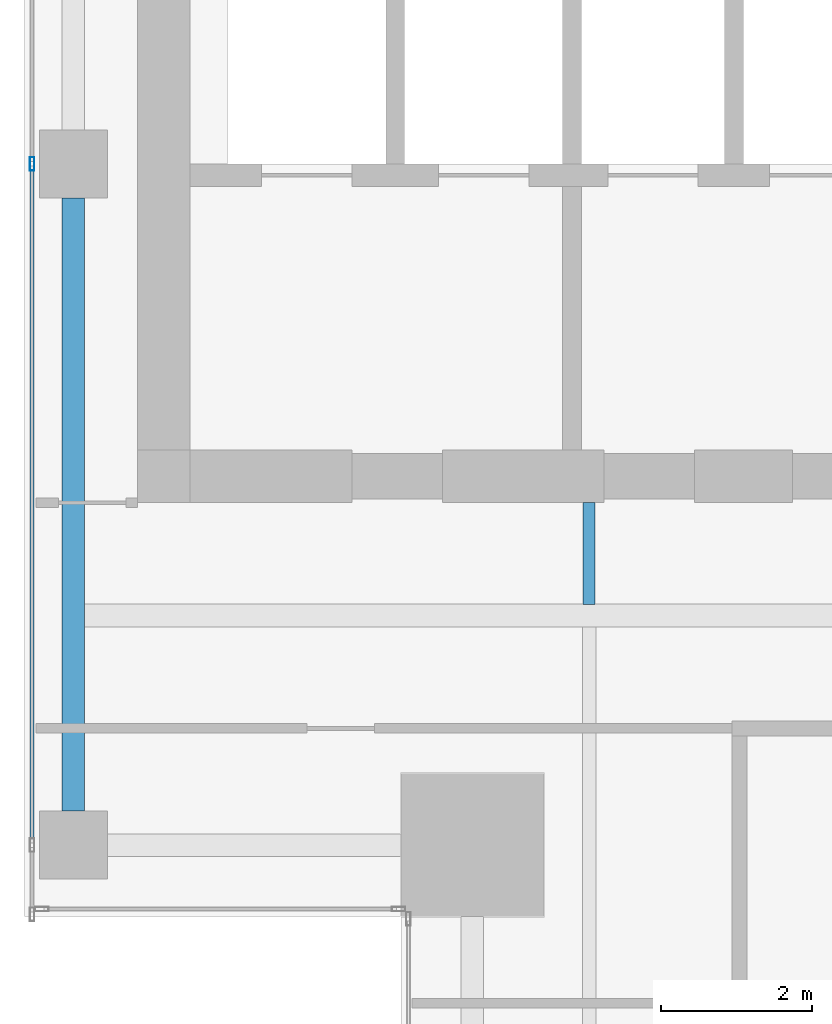
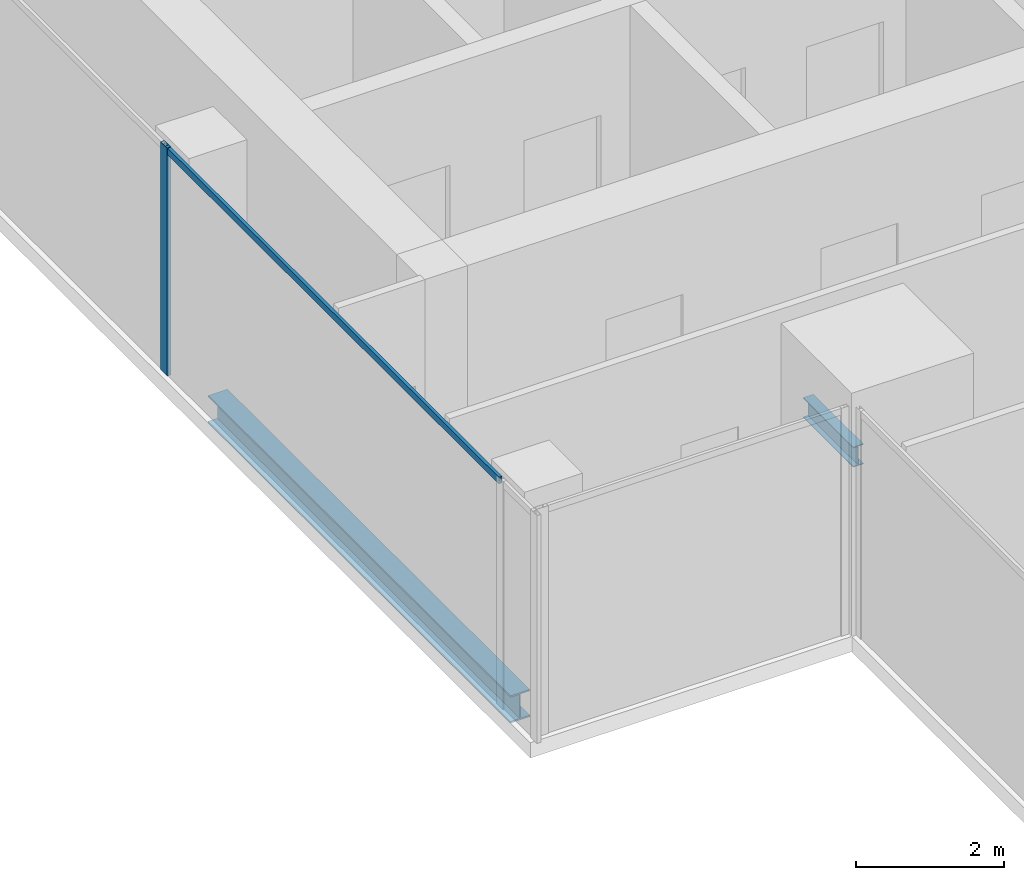
# One storey, part 4 of 36: 2 beams, 2 members, 1 element without a shape of its own.
"""IFC4 building model written with IfcOpenShell, lengths in metres."""

import ifcopenshell
import ifcopenshell.guid

model = None  # the IFC model being written
_history = None  # IfcOwnerHistory: only IFC2X3 demands one
_inside = {}  # id of a spatial element -> (the spatial element, [elements in it])
_under = {}  # id of a project, library or spatial element -> (it, [spatial elements below it])
_declared = {}  # id of a project -> (the project, [libraries it declares])
_typed = {}  # id of a type object -> (the type object, [elements of that type])
_made_of = {}  # id of a material, layer set ... -> (it, [elements and type objects made of it])


def new_model(schema):
    """Start an empty IFC model of exactly this schema.

    Asked for "IFC4X3", IfcOpenShell would pick the latest addendum, in which some entities
    have other attributes; the version numbers below select the first issue.
    IFC2X3 requires an IfcOwnerHistory on every rooted entity: one is made here for all.
    """
    global model, _history
    if schema == "IFC4X3":
        model = ifcopenshell.file(schema_version=(4, 3, 0, 0))
    else:
        model = ifcopenshell.file(schema=schema)
    _inside.clear()
    _under.clear()
    _declared.clear()
    _typed.clear()
    _made_of.clear()
    _history = None
    if model.schema == "IFC2X3":
        org = make("IfcOrganization", Name="unknown")
        user = make(
            "IfcPersonAndOrganization",
            ThePerson=make("IfcPerson", FamilyName="unknown"),
            TheOrganization=org,
        )
        app = make(
            "IfcApplication",
            ApplicationDeveloper=org,
            Version="unknown",
            ApplicationFullName="unknown",
            ApplicationIdentifier="unknown",
        )
        _history = make(
            "IfcOwnerHistory",
            OwningUser=user,
            OwningApplication=app,
            ChangeAction="ADDED",
            CreationDate=0,
        )
    return model


def make(cls, **values):
    """One entity of the class cls with the attributes given. An attribute that is None is left unset."""
    return model.create_entity(
        cls, **{name: value for name, value in values.items() if value is not None}
    )


def rooted(cls, **values):
    """An entity with a GlobalId (a new one), such as an element, a storey or a relation."""
    return make(cls, GlobalId=ifcopenshell.guid.new(), OwnerHistory=_history, **values)


def si_unit(unit_type, name, prefix=None):
    """IfcSIUnit, for example si_unit("LENGTHUNIT", "METRE", prefix="MILLI")."""
    return make("IfcSIUnit", UnitType=unit_type, Prefix=prefix, Name=name)


def assignment(units):
    """IfcUnitAssignment: the units of a project."""
    return None if units is None else make("IfcUnitAssignment", Units=units)


def point(xyz):
    """IfcCartesianPoint."""
    return None if xyz is None else make("IfcCartesianPoint", Coordinates=xyz)


def direction(xyz):
    """IfcDirection."""
    return None if xyz is None else make("IfcDirection", DirectionRatios=xyz)


def frame(location, z_axis=None, x_axis=None):
    """IfcAxis2Placement3D, a coordinate frame: its origin and axes. An axis left out is left unset."""
    return make(
        "IfcAxis2Placement3D",
        Location=point(location),
        Axis=direction(z_axis),
        RefDirection=direction(x_axis),
    )


def frame_2d(location, x_axis=None):
    """IfcAxis2Placement2D, a coordinate frame in the plane: its origin and x axis."""
    return make(
        "IfcAxis2Placement2D", Location=point(location), RefDirection=direction(x_axis)
    )


def origin():
    """The frame at (0, 0, 0) with its axes left unset."""
    return frame((0.0, 0.0, 0.0))


def origin_2d():
    """The frame at (0, 0) in the plane with its x axis left unset."""
    return frame_2d((0.0, 0.0))


def place(relative_to, where):
    """IfcLocalPlacement: puts the frame where relative to a parent placement (None: the world)."""
    return make(
        "IfcLocalPlacement", PlacementRelTo=relative_to, RelativePlacement=where
    )


def context(
    kind, dimensions, precision=None, world=None, true_north=None, identifier=None
):
    """IfcGeometricRepresentationContext, for example the 3D "Model" context."""
    return make(
        "IfcGeometricRepresentationContext",
        ContextIdentifier=identifier,
        ContextType=kind,
        CoordinateSpaceDimension=dimensions,
        Precision=precision,
        WorldCoordinateSystem=world,
        TrueNorth=true_north,
    )


def subcontext(parent, identifier, kind, view, scale=None):
    """IfcGeometricRepresentationSubContext, for example "Body" below "Model"."""
    return make(
        "IfcGeometricRepresentationSubContext",
        ContextIdentifier=identifier,
        ContextType=kind,
        ParentContext=parent,
        TargetScale=scale,
        TargetView=view,
    )


def project(units=None, contexts=None):
    """IfcProject with its units and contexts."""
    return rooted(
        "IfcProject",
        Name="project",
        RepresentationContexts=contexts,
        UnitsInContext=assignment(units),
    )


def spatial(cls, under=None, at=None, **own):
    """A site, building, storey or space (cls), placed at a placement, below another one or the project."""
    s = rooted(cls, ObjectPlacement=at, **own)
    if under is not None:
        _under.setdefault(under.id(), (under, []))[1].append(s)
    return s


def profile(cls, at=None, kind="AREA", **sizes):
    """A parametric profile (cls). Its sizes go by their IFC names, for example OverallWidth=200.0."""
    return make(cls, ProfileType=kind, Position=at, **sizes)


def hollow_rectangle(**sizes):
    """IfcRectangleHollowProfileDef."""
    return profile("IfcRectangleHollowProfileDef", **sizes)


def i_section(**sizes):
    """IfcIShapeProfileDef."""
    return profile("IfcIShapeProfileDef", **sizes)


def extrude(swept, where, along, depth):
    """IfcExtrudedAreaSolid: the profile swept, set in the frame where, extruded along a direction by depth."""
    return make(
        "IfcExtrudedAreaSolid",
        SweptArea=swept,
        Position=where,
        ExtrudedDirection=direction(along),
        Depth=depth,
    )


def shape(context_of_items, identifier, shape_type, items):
    """IfcShapeRepresentation: the items that make up one representation, for example the "Body"."""
    return make(
        "IfcShapeRepresentation",
        ContextOfItems=context_of_items,
        RepresentationIdentifier=identifier,
        RepresentationType=shape_type,
        Items=items,
    )


def source(mapping_origin, context_of_items, identifier, shape_type, items):
    """IfcRepresentationMap: a shape defined once, which mapped items show again and again."""
    return make(
        "IfcRepresentationMap",
        MappingOrigin=mapping_origin,
        MappedRepresentation=shape(context_of_items, identifier, shape_type, items),
    )


def transform(
    local_origin,
    x_axis=None,
    y_axis=None,
    z_axis=None,
    scale=None,
    scale2=None,
    scale3=None,
    uniform=True,
):
    """IfcCartesianTransformationOperator3D, or its non-uniform kind. x_axis, y_axis, z_axis: its Axis1, 2, 3."""
    if uniform:
        return make(
            "IfcCartesianTransformationOperator3D",
            Axis1=direction(x_axis),
            Axis2=direction(y_axis),
            LocalOrigin=point(local_origin),
            Scale=scale,
            Axis3=direction(z_axis),
        )
    return make(
        "IfcCartesianTransformationOperator3DnonUniform",
        Axis1=direction(x_axis),
        Axis2=direction(y_axis),
        LocalOrigin=point(local_origin),
        Scale=scale,
        Axis3=direction(z_axis),
        Scale2=scale2,
        Scale3=scale3,
    )


def mapped(mapping_source, mapping_target):
    """IfcMappedItem: shows the shape of a source again, moved by a transform."""
    return make(
        "IfcMappedItem", MappingSource=mapping_source, MappingTarget=mapping_target
    )


def material(Name=None, Category=None):
    """IfcMaterial."""
    return make("IfcMaterial", Name=Name, Category=Category)


def material_profile(
    of_material, cross_section, Name=None, Category=None, Priority=None
):
    """IfcMaterialProfile: a cross section and its material."""
    return make(
        "IfcMaterialProfile",
        Name=Name,
        Material=of_material,
        Profile=cross_section,
        Priority=Priority,
        Category=Category,
    )


def profile_set(profiles, Name=None, composite=None):
    """IfcMaterialProfileSet."""
    return make(
        "IfcMaterialProfileSet",
        Name=Name,
        MaterialProfiles=profiles,
        CompositeProfile=composite,
    )


def made_of(thing, what):
    """Note that an element or type object is made of a material, layer set ...; save() writes the relation."""
    if what is not None:
        _made_of.setdefault(what.id(), (what, []))[1].append(thing)
    return thing


def type_object(cls, material=None, **own):
    """A type object (cls), such as IfcWallType, which elements share."""
    return made_of(rooted(cls, **own), material)


def element(
    cls,
    number,
    at=None,
    inside=None,
    cuts=None,
    type_object=None,
    material=None,
    context=None,
    identifier="Body",
    shape_type=None,
    held_by="IfcProductDefinitionShape",
    body=None,
    shapes=None,
    **own,
):
    """One element of the class cls, such as IfcWall. Its Tag is "e" and its number.

    at: its placement. inside: the storey or other place that contains it. cuts: it is an
    opening in that element (IfcRelVoidsElement). A single representation is given by context,
    identifier, shape_type and body (its items); several are given by shapes. held_by: the class
    of the entity that holds the representations. save() writes the other relations.
    """
    e = rooted(cls, Tag="e%d" % number, ObjectPlacement=at, **own)
    if body is not None:
        shapes = [shape(context, identifier, shape_type, body)]
    if shapes is not None:
        e.Representation = make(held_by, Representations=shapes)
    if inside is not None:
        _inside.setdefault(inside.id(), (inside, []))[1].append(e)
    if cuts is not None:
        rooted(
            "IfcRelVoidsElement", RelatingBuildingElement=cuts, RelatedOpeningElement=e
        )
    if type_object is not None:
        _typed.setdefault(type_object.id(), (type_object, []))[1].append(e)
    return made_of(e, material)


def aggregate(whole, parts):
    """IfcRelAggregates: a whole, such as a stair, and the parts it consists of."""
    return rooted("IfcRelAggregates", RelatingObject=whole, RelatedObjects=parts)


def save(model, path):
    """Write the relations noted so far, then the file.

    IfcRelAggregates (storeys below a building ...), IfcRelContainedInSpatialStructure (elements
    in a storey), IfcRelDefinesByType, IfcRelAssociatesMaterial and IfcRelDeclares: one each for
    every whole, place, type object, material and project.
    """
    for whole, parts in _under.values():
        aggregate(whole, parts)
    for where, things in _inside.values():
        rooted(
            "IfcRelContainedInSpatialStructure",
            RelatedElements=things,
            RelatingStructure=where,
        )
    for kind, things in _typed.values():
        rooted("IfcRelDefinesByType", RelatedObjects=things, RelatingType=kind)
    for what, things in _made_of.values():
        rooted("IfcRelAssociatesMaterial", RelatedObjects=things, RelatingMaterial=what)
    for by, libraries in _declared.values():
        rooted("IfcRelDeclares", RelatingContext=by, RelatedDefinitions=libraries)
    model.write(path)


model = new_model("IFC4")

# Units and contexts
model_context = context("Model", 3, precision=1e-05, world=origin(), true_north=direction((0.0, 1.0)))
body_context = subcontext(model_context, "Body", "Model", "MODEL_VIEW")
ifc_project = project(units=[si_unit("LENGTHUNIT", "METRE"), si_unit("AREAUNIT", "SQUARE_METRE"), si_unit("VOLUMEUNIT", "CUBIC_METRE"), si_unit("PLANEANGLEUNIT", "RADIAN"), si_unit("MASSUNIT", "GRAM", prefix="KILO")], contexts=[model_context])

# Site, building, storey
site_placement = place(None, origin())
site = spatial("IfcSite", under=ifc_project, at=site_placement, CompositionType="ELEMENT")
building_placement = place(site_placement, origin())
building = spatial("IfcBuilding", under=site, at=building_placement, Name="Khomas Fold Tower", CompositionType="ELEMENT")
storey_placement = place(building_placement, frame((0.0, 0.0, 226.199951171875)))
storey = spatial("IfcBuildingStorey", under=building, at=storey_placement, Name="L50", CompositionType="ELEMENT", Elevation=226.199951171875)

# Beams
ifc_material_1 = material(Name="Steel S355", Category="steel")
ifc_material_profile_1 = material_profile(ifc_material_1, i_section(OverallWidth=0.159912109375, OverallDepth=0.330078125, WebThickness=0.007568359375, FlangeThickness=0.011474609375, at=origin_2d()), Name="IPE 330")
ifc_profile_set_1 = profile_set([ifc_material_profile_1], Name="Steel S355")
beam_type_1 = type_object("IfcBeamType", Name="IPE 330 beam JB1", PredefinedType="BEAM", material=ifc_profile_set_1)
shared_shape_1 = source(origin(), body_context, "Body", "SweptSolid", [
    extrude(i_section(OverallWidth=0.159912109375, OverallDepth=0.330078125, WebThickness=0.007568359375, FlangeThickness=0.011474609375, at=origin_2d()), origin(), (0.0, 0.0, 1.0), 1.35009765625),
])
beam_1_placement = place(storey_placement, frame((12.0, 13.64990234375, -0.4150390625), z_axis=(0.0, 1.0, 0.0), x_axis=(-1.0, 0.0, 0.0)))
element("IfcBeam", 1, at=beam_1_placement, inside=storey, type_object=beam_type_1, Name="JB1", PredefinedType="BEAM", context=body_context, shape_type="MappedRepresentation", body=[
    mapped(shared_shape_1, transform((0.0, 0.0, 0.0))),
])
ifc_material_2 = material(Name="Steel S355", Category="steel")
ifc_material_profile_2 = material_profile(ifc_material_2, i_section(OverallWidth=0.300048828125, OverallDepth=0.449951171875, WebThickness=0.013916015625, FlangeThickness=0.02587890625, at=origin_2d()), Name="HE 450 B")
ifc_profile_set_2 = profile_set([ifc_material_profile_2], Name="Steel S355")
beam_type_2 = type_object("IfcBeamType", Name="HE 450 B spandrel SB4", PredefinedType="SPANDREL", material=ifc_profile_set_2)
shared_shape_2 = source(origin(), body_context, "Body", "SweptSolid", [
    extrude(i_section(OverallWidth=0.300048828125, OverallDepth=0.449951171875, WebThickness=0.013916015625, FlangeThickness=0.02587890625, at=origin_2d()), origin(), (0.0, 0.0, 1.0), 8.150146484375),
])
beam_2_placement = place(storey_placement, frame((5.14990234375, 10.89990234375, -0.474853515625), z_axis=(0.0, 1.0, 0.0), x_axis=(-1.0, 0.0, 0.0)))
element("IfcBeam", 2, at=beam_2_placement, inside=storey, type_object=beam_type_2, Name="SB4", PredefinedType="SPANDREL", context=body_context, shape_type="MappedRepresentation", body=[
    mapped(shared_shape_2, transform((0.0, 0.0, 0.0))),
])

# Curtain wall, members
ifc_material_3 = material(Name="Aluminium framed double glazing", Category="aluminium")
curtain_wall_type = type_object("IfcCurtainWallType", Name="SK-Unitised clear-glass wall, office floors CW2", PredefinedType="NOTDEFINED", material=ifc_material_3)
curtain_wall_placement = place(storey_placement, origin())
curtain_wall = element("IfcCurtainWall", 3, at=curtain_wall_placement, inside=storey, type_object=curtain_wall_type, Name="CW2 run L50 09-0", PredefinedType="NOTDEFINED")
ifc_material_4 = material(Name="Aluminium", Category="aluminium")
ifc_material_profile_3 = material_profile(ifc_material_4, hollow_rectangle(XDim=0.06005859375, YDim=0.179931640625, WallThickness=0.00390625, at=origin_2d()), Name="SK-Unitised clear-glass wall, office floors mullion CW2-M")
ifc_profile_set_3 = profile_set([ifc_material_profile_3], Name="Aluminium")
member_type_1 = type_object("IfcMemberType", Name="SK-Unitised clear-glass wall, office floors mullion CW2-M", PredefinedType="MULLION", material=ifc_profile_set_3)
shared_shape_3 = source(origin(), body_context, "Body", "SweptSolid", [
    extrude(hollow_rectangle(XDim=0.06005859375, YDim=0.179931640625, WallThickness=0.00390625, at=origin_2d()), origin(), (0.0, 0.0, 1.0), 3.75),
])
member_1_placement = place(storey_placement, frame((4.60009765625, 19.5, 0.0), z_axis=(0.0, 0.0, 1.0), x_axis=(1.0, 0.0, 0.0)))
member_1 = element("IfcMember", 4, at=member_1_placement, type_object=member_type_1, Name="CW2 mullion 5", PredefinedType="MULLION", context=body_context, shape_type="MappedRepresentation", body=[
    mapped(shared_shape_3, transform((0.0, 0.0, 0.0))),
])
ifc_material_5 = material(Name="Aluminium", Category="aluminium")
ifc_material_profile_4 = material_profile(ifc_material_5, hollow_rectangle(XDim=0.050048828125, YDim=0.110107421875, WallThickness=0.00390625, at=origin_2d()), Name="SK-Unitised clear-glass wall, office floors transom CW2-T")
ifc_profile_set_4 = profile_set([ifc_material_profile_4], Name="Aluminium")
member_type_2 = type_object("IfcMemberType", Name="SK-Unitised clear-glass wall, office floors transom CW2-T", PredefinedType="USERDEFINED", material=ifc_profile_set_4)
shared_shape_4 = source(origin(), body_context, "Body", "SweptSolid", [
    extrude(hollow_rectangle(XDim=0.050048828125, YDim=0.110107421875, WallThickness=0.00390625, at=origin_2d()), origin(), (0.0, 0.0, 1.0), 8.989990234375),
])
member_2_placement = place(storey_placement, frame((4.60009765625, 19.469970703125, 3.695068359375), z_axis=(0.0, -1.0, 0.0), x_axis=(1.0, 0.0, 0.0)))
member_2 = element("IfcMember", 5, at=member_2_placement, type_object=member_type_2, Name="CW2 transom 5", ObjectType="TRANSOM", PredefinedType="USERDEFINED", context=body_context, shape_type="MappedRepresentation", body=[
    mapped(shared_shape_4, transform((0.0, 0.0, 0.0))),
])
aggregate(curtain_wall, [member_1, member_2])

save(model, "model.ifc")
